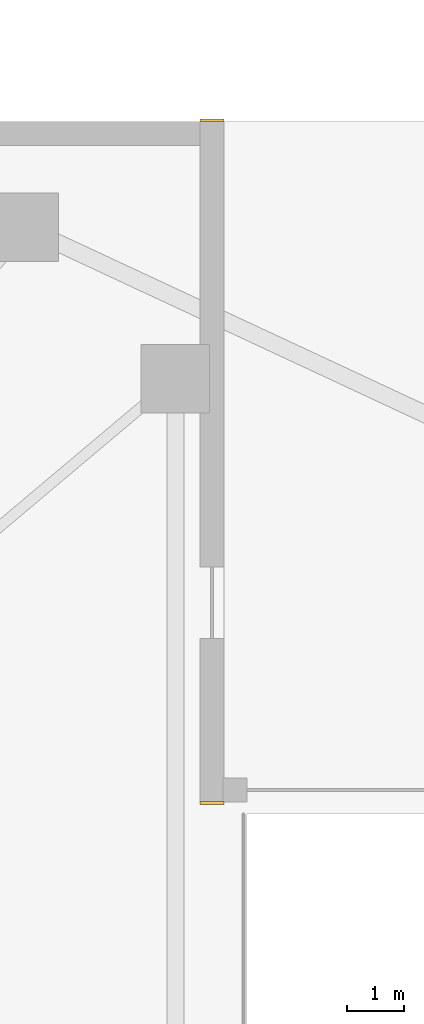
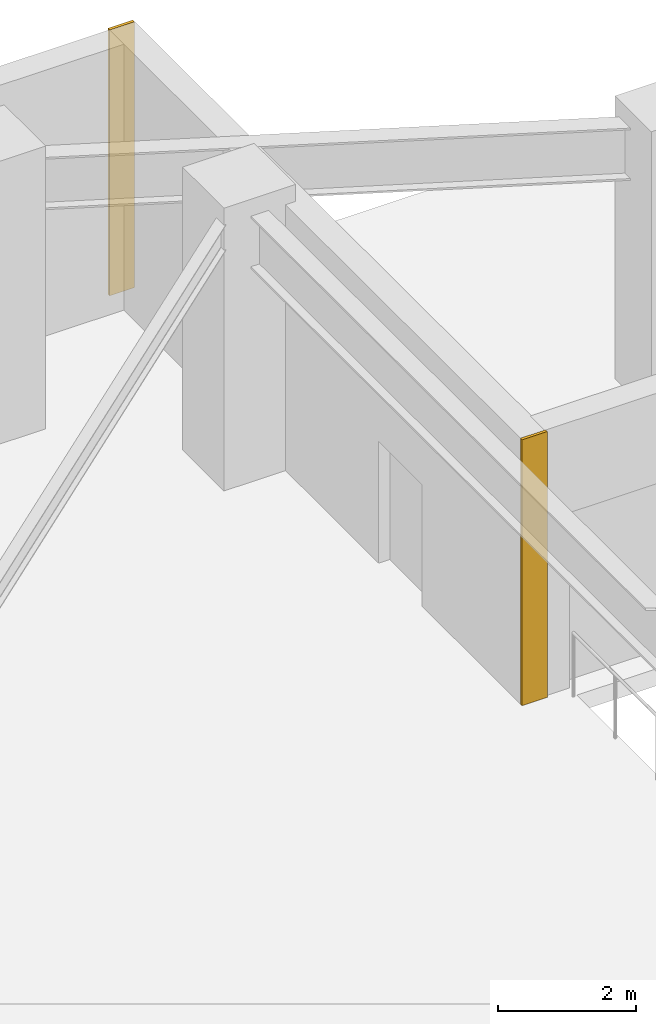
# One storey, part 19 of 21: 2 coverings.
"""IFC4 building model written with IfcOpenShell, lengths in metres."""

from ifc_helpers import new_model, si_unit, direction, frame, frame_2d, origin, place, context, subcontext, project, spatial, rectangle, extrude, material, layer, layer_set, type_object, element, save


model = new_model("IFC4")

# Units and contexts
model_context = context("Model", 3, precision=1e-05, world=origin(), true_north=direction((0.0, 1.0)))
body_context = subcontext(model_context, "Body", "Model", "MODEL_VIEW")
ifc_project = project(units=[si_unit("LENGTHUNIT", "METRE"), si_unit("AREAUNIT", "SQUARE_METRE"), si_unit("VOLUMEUNIT", "CUBIC_METRE"), si_unit("PLANEANGLEUNIT", "RADIAN"), si_unit("MASSUNIT", "GRAM", prefix="KILO")], contexts=[model_context])

# Site, building, storey
site_placement = place(None, origin())
site = spatial("IfcSite", under=ifc_project, at=site_placement, CompositionType="ELEMENT")
building_placement = place(site_placement, origin())
building = spatial("IfcBuilding", under=site, at=building_placement, Name="Cairnveth Concourse Tower", CompositionType="ELEMENT")
storey_placement = place(building_placement, origin())
storey = spatial("IfcBuildingStorey", under=building, at=storey_placement, Name="L00", CompositionType="ELEMENT", Elevation=0.0)

# Coverings
ifc_material = material(Name="Dressed Melbourne Bluestone Cladding", Category="masonry")
ifc_layer = layer(ifc_material, 0.050048828125)
ifc_layer_set = layer_set([ifc_layer], Name="Dressed Melbourne Bluestone Cladding")
covering_type = type_object("IfcCoveringType", Name="DRESSED BLUESTONE PLINTH CLADDING 50", PredefinedType="CLADDING", material=ifc_layer_set)
for number, where, z_axis, x_axis, name in (
    (1, (77.580078125, 66.02001953125, 0.0), (0.0, 0.0, 1.0), (1.0, 0.0, 0.0), "Melbourne Bluestone Corner Quoin L00-2"),
    (2, (77.580078125, 54.070068359375, 0.0), (0.0, 0.0, 1.0), (1.0, 0.0, 0.0), "Melbourne Bluestone Corner Quoin L00-3"),
):
    element("IfcCovering", number, at=place(storey_placement, frame(where, z_axis=z_axis, x_axis=x_axis)), inside=storey, type_object=covering_type, Name=name, PredefinedType="CLADDING", context=body_context, shape_type="SweptSolid", body=[
        extrude(rectangle(XDim=0.419921875, YDim=0.050048828125, at=frame_2d((0.2099609375, 0.0))), origin(), (0.0, 0.0, 1.0), 4.699951171875),
    ])

save(model, "model.ifc")
